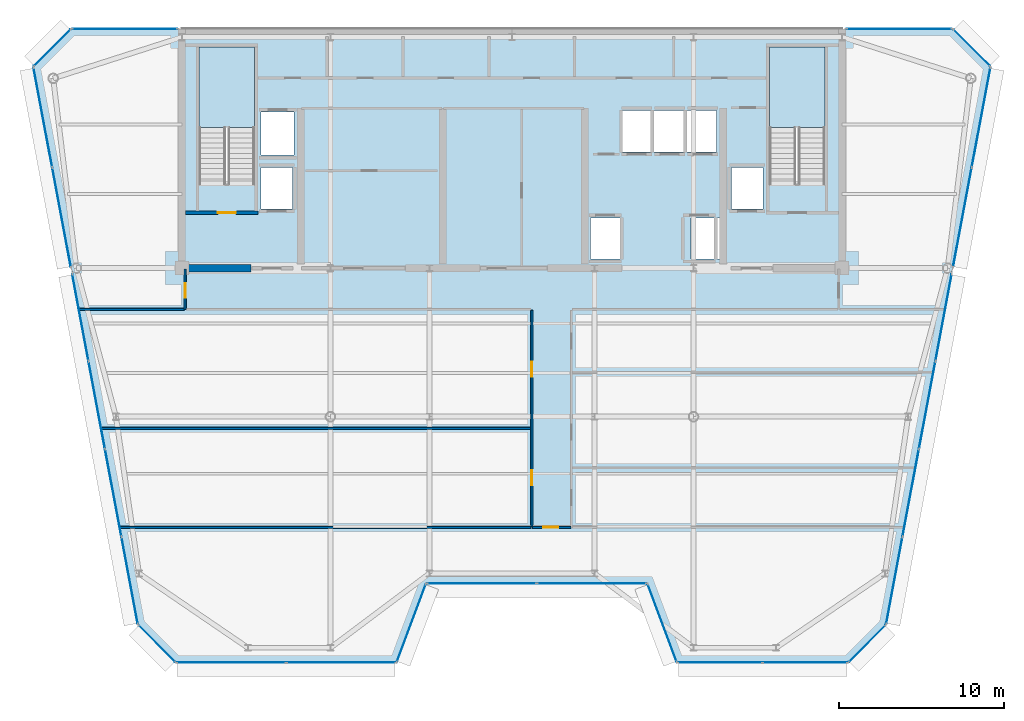
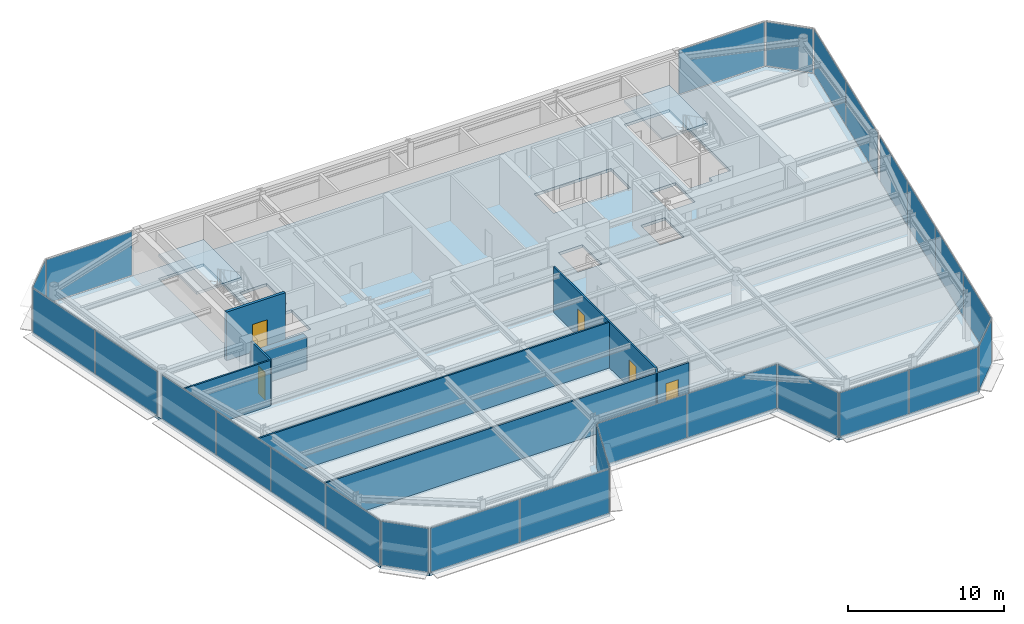
# One storey, part 10 of 20: 26 plates, 8 walls, 5 doors, 3 slabs, 5 openings, 17 elements without a shape of their own.
"""IFC4 building model written with IfcOpenShell, lengths in metres."""

from ifc_helpers import new_model, si_unit, direction, frame, frame_2d, origin, origin_2d, place, context, subcontext, project, spatial, polyline, rectangle, outline, extrude, source, transform, mapped, material, layer, layer_set, type_object, element, fill, aggregate, save


model = new_model("IFC4")

# Units and contexts
model_context = context("Model", 3, precision=1e-05, world=origin(), true_north=direction((0.0, 1.0)))
body_context = subcontext(model_context, "Body", "Model", "MODEL_VIEW")
ifc_project = project(units=[si_unit("LENGTHUNIT", "METRE"), si_unit("AREAUNIT", "SQUARE_METRE"), si_unit("VOLUMEUNIT", "CUBIC_METRE"), si_unit("PLANEANGLEUNIT", "RADIAN"), si_unit("MASSUNIT", "GRAM", prefix="KILO")], contexts=[model_context])

# Site, building, storey
site_placement = place(None, origin())
site = spatial("IfcSite", under=ifc_project, at=site_placement, CompositionType="ELEMENT")
building_placement = place(site_placement, origin())
building = spatial("IfcBuilding", under=site, at=building_placement, Name="Vaeldorn Concourse Tower", CompositionType="ELEMENT")
storey_placement = place(building_placement, frame((0.0, 0.0, 280.199951171875)))
storey = spatial("IfcBuildingStorey", under=building, at=storey_placement, Name="L72", CompositionType="ELEMENT", Elevation=280.199951171875)

# Stair, slab
ifc_material_1 = material(Name="Precast concrete C40/50", Category="concrete")
stair_type = type_object("IfcStairType", Name="STR-DOG-24x158", PredefinedType="HALF_TURN_STAIR", material=ifc_material_1)
stair_1_placement = place(storey_placement, origin())
stair_1 = element("IfcStair", 1, at=stair_1_placement, inside=storey, type_object=stair_type, Name="L72 West Core Exit Stair ST-1", PredefinedType="HALF_TURN_STAIR")
ifc_material_2 = material(Name="Concrete C40/50", Category="concrete")
ifc_layer_1 = layer(ifc_material_2, 0.199951171875)
ifc_layer_set_1 = layer_set([ifc_layer_1], Name="Concrete C40/50")
slab_type_1 = type_object("IfcSlabType", Name="SL-STAIR-LANDING", PredefinedType="LANDING", material=ifc_layer_set_1)
slab_1_placement = place(storey_placement, frame((0.0, 0.0, 1.699951171875)))
slab_1 = element("IfcSlab", 2, at=slab_1_placement, type_object=slab_type_1, Name="ST-1 landing 1", PredefinedType="LANDING", context=body_context, shape_type="SweptSolid", body=[
    extrude(outline(polyline([(18.39990234375, 45.010009765625), (18.39990234375, 49.89990234375), (15.050048828125, 49.89990234375), (15.050048828125, 45.010009765625), (18.39990234375, 45.010009765625)])), origin(), (0.0, 0.0, 1.0), 0.2001953125),
])
aggregate(stair_1, [slab_1])

stair_2_placement = place(storey_placement, origin())
stair_2 = element("IfcStair", 3, at=stair_2_placement, inside=storey, type_object=stair_type, Name="L72 East Core Exit Stair ST-2", PredefinedType="HALF_TURN_STAIR")
slab_2_placement = place(storey_placement, frame((0.0, 0.0, 1.699951171875)))
slab_2 = element("IfcSlab", 4, at=slab_2_placement, type_object=slab_type_1, Name="ST-2 landing 1", PredefinedType="LANDING", context=body_context, shape_type="SweptSolid", body=[
    extrude(outline(polyline([(52.949951171875, 45.010009765625), (52.949951171875, 49.89990234375), (49.60009765625, 49.89990234375), (49.60009765625, 45.010009765625), (52.949951171875, 45.010009765625)])), origin(), (0.0, 0.0, 1.0), 0.2001953125),
])
aggregate(stair_2, [slab_2])

# Slab
ifc_layer_2 = layer(ifc_material_2, 0.219970703125)
ifc_layer_set_2 = layer_set([ifc_layer_2], Name="Concrete C40/50")
slab_type_2 = type_object("IfcSlabType", Name="SL-TYP-220", PredefinedType="FLOOR", material=ifc_layer_set_2)
slab_3_placement = place(storey_placement, frame((0.0, 0.0, -0.219970703125)))
element("IfcSlab", 5, at=slab_3_placement, inside=storey, type_object=slab_type_2, Name="Structural Floor Slab L72", PredefinedType="FLOOR", context=body_context, shape_type="SweptSolid", body=[
    extrude(outline(polyline([(13.635986328125, 12.60009765625), (27.0, 12.60009765625), (28.800048828125, 17.39990234375), (42.199951171875, 17.39990234375), (44.0, 12.60009765625), (54.364013671875, 12.60009765625), (56.6640625, 14.89990234375), (63.0, 48.699951171875), (60.699951171875, 51.0), (7.300048828125, 51.0), (5.0, 48.699951171875), (11.3359375, 14.89990234375), (13.635986328125, 12.60009765625)]), holes=[polyline([(18.39990234375, 42.0), (18.39990234375, 49.89990234375), (15.050048828125, 49.89990234375), (15.050048828125, 41.60009765625), (16.800048828125, 41.60009765625), (16.800048828125, 42.0), (18.39990234375, 42.0)]), polyline([(52.949951171875, 42.0), (52.949951171875, 49.89990234375), (49.60009765625, 49.89990234375), (49.60009765625, 41.60009765625), (51.35009765625, 41.60009765625), (51.35009765625, 42.0), (52.949951171875, 42.0)]), polyline([(38.75, 37.050048828125), (40.550048828125, 37.050048828125), (40.550048828125, 39.550048828125), (38.75, 39.550048828125), (38.75, 37.050048828125)]), polyline([(44.85009765625, 37.050048828125), (46.64990234375, 37.050048828125), (46.64990234375, 39.550048828125), (44.85009765625, 39.550048828125), (44.85009765625, 37.050048828125)]), polyline([(40.699951171875, 43.550048828125), (46.39990234375, 43.550048828125), (46.39990234375, 46.050048828125), (40.699951171875, 46.050048828125), (40.699951171875, 43.550048828125)]), polyline([(18.800048828125, 43.35009765625), (20.800048828125, 43.35009765625), (20.800048828125, 45.949951171875), (18.800048828125, 45.949951171875), (18.800048828125, 43.35009765625)]), polyline([(18.800048828125, 40.10009765625), (20.699951171875, 40.10009765625), (20.699951171875, 42.60009765625), (18.800048828125, 42.60009765625), (18.800048828125, 40.10009765625)]), polyline([(47.300048828125, 40.10009765625), (49.199951171875, 40.10009765625), (49.199951171875, 42.60009765625), (47.300048828125, 42.60009765625), (47.300048828125, 40.10009765625)])]), origin(), (0.0, 0.0, 1.0), 0.219970703125),
])

# Curtain wall, plate
ifc_material_3 = material(Name="Anodised Bronze Aluminium", Category="aluminium")
ifc_layer_3 = layer(ifc_material_3, 0.179931640625)
ifc_layer_set_3 = layer_set([ifc_layer_3], Name="Anodised Bronze Aluminium")
curtain_wall_type = type_object("IfcCurtainWallType", Name="CW-SYS-05", PredefinedType="NOTDEFINED", material=ifc_layer_set_3)
curtain_wall_1_placement = place(storey_placement, origin())
curtain_wall_1 = element("IfcCurtainWall", 6, at=curtain_wall_1_placement, inside=storey, type_object=curtain_wall_type, Name="Unitised Curtain Wall CW-L72-E02-1", PredefinedType="NOTDEFINED")
ifc_material_4 = material(Name="Bronze Tinted Low-E Insulated Glass", Category="glass")
ifc_layer_4 = layer(ifc_material_4, 0.031982421875)
ifc_layer_set_4 = layer_set([ifc_layer_4], Name="Bronze Tinted Low-E Insulated Glass")
plate_type = type_object("IfcPlateType", Name="CWP-VISION-32", PredefinedType="CURTAIN_PANEL", material=ifc_layer_set_4)
shared_shape_1 = source(origin(), body_context, "Body", "SweptSolid", [
    extrude(rectangle(XDim=4.996337890625, YDim=0.031982421875, at=origin_2d()), origin(), (0.0, 0.0, 1.0), 3.449951171875),
])
plate_1_placement = place(storey_placement, frame((27.89990234375, 15.0, 0.06494140625), z_axis=(0.0, 0.0, 1.0), x_axis=(0.351123441595, 0.936329177566, 0.0)))
plate_1 = element("IfcPlate", 7, at=plate_1_placement, type_object=plate_type, Name="CW-05 panel 1.1", PredefinedType="CURTAIN_PANEL", context=body_context, shape_type="MappedRepresentation", body=[
    mapped(shared_shape_1, transform((0.0, 0.0, 0.0), scale=1.0)),
])
aggregate(curtain_wall_1, [plate_1])

curtain_wall_2_placement = place(storey_placement, origin())
curtain_wall_2 = element("IfcCurtainWall", 8, at=curtain_wall_2_placement, inside=storey, type_object=curtain_wall_type, Name="Unitised Curtain Wall CW-L72-E04-1", PredefinedType="NOTDEFINED")
plate_2_placement = place(storey_placement, frame((43.10009765625, 15.0, 0.06494140625), z_axis=(0.0, 0.0, 1.0), x_axis=(0.351123441595, -0.936329177566, 0.0)))
plate_2 = element("IfcPlate", 9, at=plate_2_placement, type_object=plate_type, Name="CW-05 panel 1.1", PredefinedType="CURTAIN_PANEL", context=body_context, shape_type="MappedRepresentation", body=[
    mapped(shared_shape_1, transform((0.0, 0.0, 0.0), scale=1.0)),
])
aggregate(curtain_wall_2, [plate_2])

# Curtain wall, plates
curtain_wall_3_placement = place(storey_placement, origin())
curtain_wall_3 = element("IfcCurtainWall", 10, at=curtain_wall_3_placement, inside=storey, type_object=curtain_wall_type, Name="Unitised Curtain Wall CW-L72-E03-1", PredefinedType="NOTDEFINED")
shared_shape_2 = source(origin(), body_context, "Body", "SweptSolid", [
    extrude(rectangle(XDim=6.6025390625, YDim=0.031982421875, at=origin_2d()), origin(), (0.0, 0.0, 1.0), 3.449951171875),
])
plate_3_placement = place(storey_placement, frame((32.166259765625, 17.39990234375, 0.06494140625), z_axis=(0.0, 0.0, 1.0), x_axis=(1.0, 0.0, 0.0)))
plate_3 = element("IfcPlate", 11, at=plate_3_placement, type_object=plate_type, Name="CW-05 panel 1.1", PredefinedType="CURTAIN_PANEL", context=body_context, shape_type="MappedRepresentation", body=[
    mapped(shared_shape_2, transform((0.0, 0.0, 0.0), scale=1.0)),
])
plate_4_placement = place(storey_placement, frame((38.833740234375, 17.39990234375, 0.06494140625), z_axis=(0.0, 0.0, 1.0), x_axis=(1.0, 0.0, 0.0)))
plate_4 = element("IfcPlate", 12, at=plate_4_placement, type_object=plate_type, Name="CW-05 panel 2.1", PredefinedType="CURTAIN_PANEL", context=body_context, shape_type="MappedRepresentation", body=[
    mapped(shared_shape_2, transform((0.0, 0.0, 0.0), scale=1.0)),
])
aggregate(curtain_wall_3, [plate_3, plate_4])

# Curtain wall, plate
curtain_wall_4_placement = place(storey_placement, origin())
curtain_wall_4 = element("IfcCurtainWall", 13, at=curtain_wall_4_placement, inside=storey, type_object=curtain_wall_type, Name="Unitised Curtain Wall CW-L72-E06-1", PredefinedType="NOTDEFINED")
shared_shape_3 = source(origin(), body_context, "Body", "SweptSolid", [
    extrude(rectangle(XDim=3.122802734375, YDim=0.031982421875, at=origin_2d()), origin(), (0.0, 0.0, 1.0), 3.449951171875),
])
plate_5_placement = place(storey_placement, frame((55.513916015625, 13.75, 0.06494140625), z_axis=(0.0, 0.0, 1.0), x_axis=(0.707106781187, 0.707106781187, 0.0)))
plate_5 = element("IfcPlate", 14, at=plate_5_placement, type_object=plate_type, Name="CW-05 panel 1.1", PredefinedType="CURTAIN_PANEL", context=body_context, shape_type="MappedRepresentation", body=[
    mapped(shared_shape_3, transform((0.0, 0.0, 0.0), scale=1.0)),
])
aggregate(curtain_wall_4, [plate_5])

curtain_wall_5_placement = place(storey_placement, origin())
curtain_wall_5 = element("IfcCurtainWall", 15, at=curtain_wall_5_placement, inside=storey, type_object=curtain_wall_type, Name="Unitised Curtain Wall CW-L72-E08-1", PredefinedType="NOTDEFINED")
plate_6_placement = place(storey_placement, frame((61.85009765625, 49.85009765625, 0.06494140625), z_axis=(0.0, 0.0, 1.0), x_axis=(-0.707106781187, 0.707106781187, 0.0)))
plate_6 = element("IfcPlate", 16, at=plate_6_placement, type_object=plate_type, Name="CW-05 panel 1.1", PredefinedType="CURTAIN_PANEL", context=body_context, shape_type="MappedRepresentation", body=[
    mapped(shared_shape_3, transform((0.0, 0.0, 0.0), scale=1.0)),
])
aggregate(curtain_wall_5, [plate_6])

curtain_wall_6_placement = place(storey_placement, origin())
curtain_wall_6 = element("IfcCurtainWall", 17, at=curtain_wall_6_placement, inside=storey, type_object=curtain_wall_type, Name="Unitised Curtain Wall CW-L72-E10-1", PredefinedType="NOTDEFINED")
plate_7_placement = place(storey_placement, frame((6.14990234375, 49.85009765625, 0.06494140625), z_axis=(0.0, 0.0, 1.0), x_axis=(-0.707106781187, -0.707106781187, 0.0)))
plate_7 = element("IfcPlate", 18, at=plate_7_placement, type_object=plate_type, Name="CW-05 panel 1.1", PredefinedType="CURTAIN_PANEL", context=body_context, shape_type="MappedRepresentation", body=[
    mapped(shared_shape_3, transform((0.0, 0.0, 0.0), scale=1.0)),
])
aggregate(curtain_wall_6, [plate_7])

curtain_wall_7_placement = place(storey_placement, origin())
curtain_wall_7 = element("IfcCurtainWall", 19, at=curtain_wall_7_placement, inside=storey, type_object=curtain_wall_type, Name="Unitised Curtain Wall CW-L72-E12-1", PredefinedType="NOTDEFINED")
plate_8_placement = place(storey_placement, frame((12.486083984375, 13.75, 0.06494140625), z_axis=(0.0, 0.0, 1.0), x_axis=(0.707106781187, -0.707106781187, 0.0)))
plate_8 = element("IfcPlate", 20, at=plate_8_placement, type_object=plate_type, Name="CW-05 panel 1.1", PredefinedType="CURTAIN_PANEL", context=body_context, shape_type="MappedRepresentation", body=[
    mapped(shared_shape_3, transform((0.0, 0.0, 0.0), scale=1.0)),
])
aggregate(curtain_wall_7, [plate_8])

curtain_wall_8_placement = place(storey_placement, origin())
curtain_wall_8 = element("IfcCurtainWall", 21, at=curtain_wall_8_placement, inside=storey, type_object=curtain_wall_type, Name="Unitised Curtain Wall CW-L72-E09-1", PredefinedType="NOTDEFINED")
shared_shape_4 = source(origin(), body_context, "Body", "SweptSolid", [
    extrude(rectangle(XDim=6.35009765625, YDim=0.031982421875, at=origin_2d()), origin(), (0.0, 0.0, 1.0), 3.449951171875),
])
plate_9_placement = place(storey_placement, frame((57.4599609375, 51.0, 0.06494140625), z_axis=(0.0, 0.0, 1.0), x_axis=(-1.0, 0.0, 0.0)))
plate_9 = element("IfcPlate", 22, at=plate_9_placement, type_object=plate_type, Name="CW-05 panel 1.1", PredefinedType="CURTAIN_PANEL", context=body_context, shape_type="MappedRepresentation", body=[
    mapped(shared_shape_4, transform((0.0, 0.0, 0.0), scale=1.0)),
])
aggregate(curtain_wall_8, [plate_9])

curtain_wall_9_placement = place(storey_placement, origin())
curtain_wall_9 = element("IfcCurtainWall", 23, at=curtain_wall_9_placement, inside=storey, type_object=curtain_wall_type, Name="Unitised Curtain Wall CW-L72-E09-2", PredefinedType="NOTDEFINED")
plate_10_placement = place(storey_placement, frame((10.5400390625, 51.0, 0.06494140625), z_axis=(0.0, 0.0, 1.0), x_axis=(-1.0, 0.0, 0.0)))
plate_10 = element("IfcPlate", 24, at=plate_10_placement, type_object=plate_type, Name="CW-05 panel 1.1", PredefinedType="CURTAIN_PANEL", context=body_context, shape_type="MappedRepresentation", body=[
    mapped(shared_shape_4, transform((0.0, 0.0, 0.0), scale=1.0)),
])
aggregate(curtain_wall_9, [plate_10])

# Curtain wall, plates
curtain_wall_10_placement = place(storey_placement, origin())
curtain_wall_10 = element("IfcCurtainWall", 25, at=curtain_wall_10_placement, inside=storey, type_object=curtain_wall_type, Name="Unitised Curtain Wall CW-L72-E07-1", PredefinedType="NOTDEFINED")
shared_shape_5 = source(origin(), body_context, "Body", "SweptSolid", [
    extrude(rectangle(XDim=5.31640625, YDim=0.031982421875, at=origin_2d()), origin(), (0.0, 0.0, 1.0), 3.449951171875),
])
plate_11_placement = place(storey_placement, frame((57.165771484375, 17.57666015625, 0.06494140625), z_axis=(0.0, 0.0, 1.0), x_axis=(0.184246714088, 0.982880027444, 0.0)))
plate_11 = element("IfcPlate", 26, at=plate_11_placement, type_object=plate_type, Name="CW-05 panel 1.1", PredefinedType="CURTAIN_PANEL", context=body_context, shape_type="MappedRepresentation", body=[
    mapped(shared_shape_5, transform((0.0, 0.0, 0.0), scale=1.0)),
])
plate_12_placement = place(storey_placement, frame((60.15234375, 33.50830078125, 0.06494140625), z_axis=(0.0, 0.0, 1.0), x_axis=(0.184246714088, 0.982880027444, 0.0)))
plate_12 = element("IfcPlate", 27, at=plate_12_placement, type_object=plate_type, Name="CW-05 panel 4.1", PredefinedType="CURTAIN_PANEL", context=body_context, shape_type="MappedRepresentation", body=[
    mapped(shared_shape_5, transform((0.0, 0.0, 0.0), scale=1.0)),
])

curtain_wall_11_placement = place(storey_placement, origin())
curtain_wall_11 = element("IfcCurtainWall", 28, at=curtain_wall_11_placement, inside=storey, type_object=curtain_wall_type, Name="Unitised Curtain Wall CW-L72-E11-2", PredefinedType="NOTDEFINED")
plate_13_placement = place(storey_placement, frame((7.84765625, 33.50830078125, 0.06494140625), z_axis=(0.0, 0.0, 1.0), x_axis=(0.184246714088, -0.982880027444, 0.0)))
plate_13 = element("IfcPlate", 29, at=plate_13_placement, type_object=plate_type, Name="CW-05 panel 1.1", PredefinedType="CURTAIN_PANEL", context=body_context, shape_type="MappedRepresentation", body=[
    mapped(shared_shape_5, transform((0.0, 0.0, 0.0), scale=1.0)),
])
plate_14_placement = place(storey_placement, frame((10.834228515625, 17.57666015625, 0.06494140625), z_axis=(0.0, 0.0, 1.0), x_axis=(0.184246714088, -0.982880027444, 0.0)))
plate_14 = element("IfcPlate", 30, at=plate_14_placement, type_object=plate_type, Name="CW-05 panel 4.1", PredefinedType="CURTAIN_PANEL", context=body_context, shape_type="MappedRepresentation", body=[
    mapped(shared_shape_5, transform((0.0, 0.0, 0.0), scale=1.0)),
])

# Plate
shared_shape_6 = source(origin(), body_context, "Body", "SweptSolid", [
    extrude(rectangle(XDim=5.348876953125, YDim=0.031982421875, at=origin_2d()), origin(), (0.0, 0.0, 1.0), 3.449951171875),
])
plate_15_placement = place(storey_placement, frame((58.16015625, 22.8818359375, 0.06494140625), z_axis=(0.0, 0.0, 1.0), x_axis=(0.184246714088, 0.982880027444, 0.0)))
plate_15 = element("IfcPlate", 31, at=plate_15_placement, type_object=plate_type, Name="CW-05 panel 2.1", PredefinedType="CURTAIN_PANEL", context=body_context, shape_type="MappedRepresentation", body=[
    mapped(shared_shape_6, transform((0.0, 0.0, 0.0), scale=1.0)),
])

plate_16_placement = place(storey_placement, frame((59.15771484375, 28.203125, 0.06494140625), z_axis=(0.0, 0.0, 1.0), x_axis=(0.184246714088, 0.982880027444, 0.0)))
plate_16 = element("IfcPlate", 32, at=plate_16_placement, type_object=plate_type, Name="CW-05 panel 3.1", PredefinedType="CURTAIN_PANEL", context=body_context, shape_type="MappedRepresentation", body=[
    mapped(shared_shape_6, transform((0.0, 0.0, 0.0), scale=1.0)),
])

aggregate(curtain_wall_10, [plate_11, plate_15, plate_16, plate_12])

plate_17_placement = place(storey_placement, frame((8.84228515625, 28.203125, 0.06494140625), z_axis=(0.0, 0.0, 1.0), x_axis=(0.184246714088, -0.982880027444, 0.0)))
plate_17 = element("IfcPlate", 33, at=plate_17_placement, type_object=plate_type, Name="CW-05 panel 2.1", PredefinedType="CURTAIN_PANEL", context=body_context, shape_type="MappedRepresentation", body=[
    mapped(shared_shape_6, transform((0.0, 0.0, 0.0), scale=1.0)),
])

plate_18_placement = place(storey_placement, frame((9.83984375, 22.8818359375, 0.06494140625), z_axis=(0.0, 0.0, 1.0), x_axis=(0.184246714088, -0.982880027444, 0.0)))
plate_18 = element("IfcPlate", 34, at=plate_18_placement, type_object=plate_type, Name="CW-05 panel 3.1", PredefinedType="CURTAIN_PANEL", context=body_context, shape_type="MappedRepresentation", body=[
    mapped(shared_shape_6, transform((0.0, 0.0, 0.0), scale=1.0)),
])

aggregate(curtain_wall_11, [plate_13, plate_17, plate_18, plate_14])

# Curtain wall, plates
curtain_wall_12_placement = place(storey_placement, origin())
curtain_wall_12 = element("IfcCurtainWall", 35, at=curtain_wall_12_placement, inside=storey, type_object=curtain_wall_type, Name="Unitised Curtain Wall CW-L72-E07-2", PredefinedType="NOTDEFINED")
shared_shape_7 = source(origin(), body_context, "Body", "SweptSolid", [
    extrude(rectangle(XDim=6.103515625, YDim=0.031982421875, at=origin_2d()), origin(), (0.0, 0.0, 1.0), 3.449951171875),
])
plate_19_placement = place(storey_placement, frame((61.289306640625, 39.57373046875, 0.06494140625), z_axis=(0.0, 0.0, 1.0), x_axis=(0.184245693053, 0.982880218842, 0.0)))
plate_19 = element("IfcPlate", 36, at=plate_19_placement, type_object=plate_type, Name="CW-05 panel 1.1", PredefinedType="CURTAIN_PANEL", context=body_context, shape_type="MappedRepresentation", body=[
    mapped(shared_shape_7, transform((0.0, 0.0, 0.0), scale=1.0)),
])
plate_20_placement = place(storey_placement, frame((62.42578125, 45.63671875, 0.06494140625), z_axis=(0.0, 0.0, 1.0), x_axis=(0.184245693053, 0.982880218842, 0.0)))
plate_20 = element("IfcPlate", 37, at=plate_20_placement, type_object=plate_type, Name="CW-05 panel 2.1", PredefinedType="CURTAIN_PANEL", context=body_context, shape_type="MappedRepresentation", body=[
    mapped(shared_shape_7, transform((0.0, 0.0, 0.0), scale=1.0)),
])
aggregate(curtain_wall_12, [plate_19, plate_20])

curtain_wall_13_placement = place(storey_placement, origin())
curtain_wall_13 = element("IfcCurtainWall", 38, at=curtain_wall_13_placement, inside=storey, type_object=curtain_wall_type, Name="Unitised Curtain Wall CW-L72-E11-1", PredefinedType="NOTDEFINED")
plate_21_placement = place(storey_placement, frame((5.57421875, 45.63671875, 0.06494140625), z_axis=(0.0, 0.0, 1.0), x_axis=(0.184245693053, -0.982880218842, 0.0)))
plate_21 = element("IfcPlate", 39, at=plate_21_placement, type_object=plate_type, Name="CW-05 panel 1.1", PredefinedType="CURTAIN_PANEL", context=body_context, shape_type="MappedRepresentation", body=[
    mapped(shared_shape_7, transform((0.0, 0.0, 0.0), scale=1.0)),
])
plate_22_placement = place(storey_placement, frame((6.710693359375, 39.57373046875, 0.06494140625), z_axis=(0.0, 0.0, 1.0), x_axis=(0.184245693053, -0.982880218842, 0.0)))
plate_22 = element("IfcPlate", 40, at=plate_22_placement, type_object=plate_type, Name="CW-05 panel 2.1", PredefinedType="CURTAIN_PANEL", context=body_context, shape_type="MappedRepresentation", body=[
    mapped(shared_shape_7, transform((0.0, 0.0, 0.0), scale=1.0)),
])
aggregate(curtain_wall_13, [plate_21, plate_22])

curtain_wall_14_placement = place(storey_placement, origin())
curtain_wall_14 = element("IfcCurtainWall", 41, at=curtain_wall_14_placement, inside=storey, type_object=curtain_wall_type, Name="Unitised Curtain Wall CW-L72-E01-1", PredefinedType="NOTDEFINED")
shared_shape_8 = source(origin(), body_context, "Body", "SweptSolid", [
    extrude(rectangle(XDim=6.58447265625, YDim=0.031982421875, at=origin_2d()), origin(), (0.0, 0.0, 1.0), 3.449951171875),
])
plate_23_placement = place(storey_placement, frame((16.9931640625, 12.60009765625, 0.06494140625), z_axis=(0.0, 0.0, 1.0), x_axis=(1.0, 0.0, 0.0)))
plate_23 = element("IfcPlate", 42, at=plate_23_placement, type_object=plate_type, Name="CW-05 panel 1.1", PredefinedType="CURTAIN_PANEL", context=body_context, shape_type="MappedRepresentation", body=[
    mapped(shared_shape_8, transform((0.0, 0.0, 0.0), scale=1.0)),
])
plate_24_placement = place(storey_placement, frame((23.642822265625, 12.60009765625, 0.06494140625), z_axis=(0.0, 0.0, 1.0), x_axis=(1.0, 0.0, 0.0)))
plate_24 = element("IfcPlate", 43, at=plate_24_placement, type_object=plate_type, Name="CW-05 panel 2.1", PredefinedType="CURTAIN_PANEL", context=body_context, shape_type="MappedRepresentation", body=[
    mapped(shared_shape_8, transform((0.0, 0.0, 0.0), scale=1.0)),
])
aggregate(curtain_wall_14, [plate_23, plate_24])

curtain_wall_15_placement = place(storey_placement, origin())
curtain_wall_15 = element("IfcCurtainWall", 44, at=curtain_wall_15_placement, inside=storey, type_object=curtain_wall_type, Name="Unitised Curtain Wall CW-L72-E05-1", PredefinedType="NOTDEFINED")
shared_shape_9 = source(origin(), body_context, "Body", "SweptSolid", [
    extrude(rectangle(XDim=5.08447265625, YDim=0.031982421875, at=origin_2d()), origin(), (0.0, 0.0, 1.0), 3.449951171875),
])
plate_25_placement = place(storey_placement, frame((46.607177734375, 12.60009765625, 0.06494140625), z_axis=(0.0, 0.0, 1.0), x_axis=(1.0, 0.0, 0.0)))
plate_25 = element("IfcPlate", 45, at=plate_25_placement, type_object=plate_type, Name="CW-05 panel 1.1", PredefinedType="CURTAIN_PANEL", context=body_context, shape_type="MappedRepresentation", body=[
    mapped(shared_shape_9, transform((0.0, 0.0, 0.0), scale=1.0)),
])
plate_26_placement = place(storey_placement, frame((51.7568359375, 12.60009765625, 0.06494140625), z_axis=(0.0, 0.0, 1.0), x_axis=(1.0, 0.0, 0.0)))
plate_26 = element("IfcPlate", 46, at=plate_26_placement, type_object=plate_type, Name="CW-05 panel 2.1", PredefinedType="CURTAIN_PANEL", context=body_context, shape_type="MappedRepresentation", body=[
    mapped(shared_shape_9, transform((0.0, 0.0, 0.0), scale=1.0)),
])
aggregate(curtain_wall_15, [plate_25, plate_26])

# Wall
ifc_material_5 = material(Name="Concrete C50/60", Category="concrete")
ifc_layer_5 = layer(ifc_material_5, 0.449951171875)
ifc_layer_set_5 = layer_set([ifc_layer_5], Name="Concrete C50/60")
wall_type_1 = type_object("IfcWallType", Name="WL-CORE-450", PredefinedType="SHEAR", material=ifc_layer_set_5)
wall_1_placement = place(storey_placement, frame((14.2451171875, 36.5, 0.0), z_axis=(0.0, 0.0, 1.0), x_axis=(1.0, 0.0, 0.0)))
element("IfcWall", 47, at=wall_1_placement, inside=storey, type_object=wall_type_1, Name="Rear Core Shear Wall L72 S1", PredefinedType="SHEAR", context=body_context, shape_type="SweptSolid", body=[
    extrude(rectangle(XDim=3.954833984375, YDim=0.449951171875, at=frame_2d((1.9775390625, 0.0))), origin(), (0.0, 0.0, 1.0), 2.580078125),
])

# Wall, opening, door
ifc_material_6 = material(Name="Gypsum Board Partition", Category="gypsum")
ifc_layer_6 = layer(ifc_material_6, 0.1201171875)
ifc_layer_set_6 = layer_set([ifc_layer_6], Name="Gypsum Board Partition")
wall_type_2 = type_object("IfcWallType", Name="WL-PART-120", PredefinedType="PARTITIONING", material=ifc_layer_set_6)
wall_2_placement = place(storey_placement, frame((14.199951171875, 34.0, 0.0), z_axis=(0.0, 0.0, 1.0), x_axis=(0.0, 1.0, 0.0)))
wall_2 = element("IfcWall", 48, at=wall_2_placement, inside=storey, type_object=wall_type_2, Name="Interior Wall PW-L72-C3W", PredefinedType="PARTITIONING", context=body_context, shape_type="SweptSolid", body=[
    extrude(rectangle(XDim=2.43994140625, YDim=0.1201171875, at=frame_2d((1.219970703125, 0.0))), origin(), (0.0, 0.0, 1.0), 3.580078125),
])
opening_1_placement = place(wall_2_placement, frame((0.699951171875, 0.0, 0.0)))
opening_1 = element("IfcOpeningElement", 49, at=opening_1_placement, cuts=wall_2, Name="Opening D-03", PredefinedType="OPENING", context=body_context, shape_type="SweptSolid", body=[
    extrude(rectangle(XDim=0.89990234375, YDim=2.14990234375, at=frame_2d((0.449951171875, 1.074951171875))), frame((0.0, 0.070068359375, 0.0), z_axis=(0.0, -1.0, 0.0), x_axis=(1.0, 0.0, 0.0)), (0.0, 0.0, 1.0), 0.14013671875),
])
ifc_material_7 = material(Name="Acoustic Bronze-Framed Glass Door", Category="glass")
door_type_1 = type_object("IfcDoorType", Name="DR-INT-900", OperationType="NOTDEFINED", PredefinedType="DOOR", material=ifc_material_7)
shared_shape_10 = source(origin(), body_context, "Body", "SweptSolid", [
    extrude(rectangle(XDim=0.89990234375, YDim=2.14990234375, at=frame_2d((0.449951171875, 1.074951171875))), frame((0.0, 0.02490234375, 0.0), z_axis=(0.0, -1.0, 0.0), x_axis=(1.0, 0.0, 0.0)), (0.0, 0.0, 1.0), 0.050048828125),
])
door_1_placement = place(opening_1_placement, origin())
door_1 = element("IfcDoor", 50, at=door_1_placement, inside=storey, type_object=door_type_1, Name="Interior Door DR-L72-Z3NW", OperationType="SINGLE_SWING_LEFT", OverallHeight=2.14990234375, OverallWidth=0.89990234375, PredefinedType="DOOR", context=body_context, shape_type="MappedRepresentation", body=[
    mapped(shared_shape_10, transform((0.0, 0.0, 0.0), scale=1.0)),
])
fill(opening_1, door_1)

# Wall, openings, doors
wall_3_placement = place(storey_placement, frame((35.199951171875, 20.800048828125, 0.0), z_axis=(0.0, 0.0, 1.0), x_axis=(0.0, 1.0, 0.0)))
wall_3 = element("IfcWall", 51, at=wall_3_placement, inside=storey, type_object=wall_type_2, Name="Interior Wall PW-L72-CSPW", PredefinedType="PARTITIONING", context=body_context, shape_type="SweptSolid", body=[
    extrude(rectangle(XDim=13.139892578125, YDim=0.1201171875, at=frame_2d((6.56982421875, 0.0))), origin(), (0.0, 0.0, 1.0), 3.580078125),
])
opening_2_placement = place(wall_3_placement, frame((2.550048828125, 0.0, 0.0)))
opening_2 = element("IfcOpeningElement", 52, at=opening_2_placement, cuts=wall_3, Name="Opening D-03", PredefinedType="OPENING", context=body_context, shape_type="SweptSolid", body=[
    extrude(rectangle(XDim=0.89990234375, YDim=2.14990234375, at=frame_2d((0.449951171875, 1.074951171875))), frame((0.0, 0.070068359375, 0.0), z_axis=(0.0, -1.0, 0.0), x_axis=(1.0, 0.0, 0.0)), (0.0, 0.0, 1.0), 0.14013671875),
])
opening_3_placement = place(wall_3_placement, frame((9.1201171875, 0.0, 0.0)))
opening_3 = element("IfcOpeningElement", 53, at=opening_3_placement, cuts=wall_3, Name="Opening D-03", PredefinedType="OPENING", context=body_context, shape_type="SweptSolid", body=[
    extrude(rectangle(XDim=0.89990234375, YDim=2.14990234375, at=frame_2d((0.449951171875, 1.074951171875))), frame((0.0, 0.070068359375, 0.0), z_axis=(0.0, -1.0, 0.0), x_axis=(1.0, 0.0, 0.0)), (0.0, 0.0, 1.0), 0.14013671875),
])
door_2_placement = place(opening_2_placement, origin())
door_2 = element("IfcDoor", 54, at=door_2_placement, inside=storey, type_object=door_type_1, Name="Interior Door DR-L72-Z3W1", OperationType="SINGLE_SWING_LEFT", OverallHeight=2.14990234375, OverallWidth=0.89990234375, PredefinedType="DOOR", context=body_context, shape_type="MappedRepresentation", body=[
    mapped(shared_shape_10, transform((0.0, 0.0, 0.0), scale=1.0)),
])
fill(opening_2, door_2)
door_3_placement = place(opening_3_placement, origin())
door_3 = element("IfcDoor", 55, at=door_3_placement, inside=storey, type_object=door_type_1, Name="Interior Door DR-L72-Z3W2", OperationType="SINGLE_SWING_RIGHT", OverallHeight=2.14990234375, OverallWidth=0.89990234375, PredefinedType="DOOR", context=body_context, shape_type="MappedRepresentation", body=[
    mapped(shared_shape_10, transform((0.0, 0.0, 0.0), scale=1.0)),
])
fill(opening_3, door_3)

# Wall, opening, door
wall_4_placement = place(storey_placement, frame((35.239990234375, 20.800048828125, 0.0), z_axis=(0.0, 0.0, 1.0), x_axis=(1.0, 0.0, 0.0)))
wall_4 = element("IfcWall", 56, at=wall_4_placement, inside=storey, type_object=wall_type_2, Name="Interior Wall PW-L72-CSPS", PredefinedType="PARTITIONING", context=body_context, shape_type="SweptSolid", body=[
    extrude(rectangle(XDim=2.320068359375, YDim=0.1201171875, at=frame_2d((1.16015625, 0.0))), origin(), (0.0, 0.0, 1.0), 3.2099609375),
])
opening_4_placement = place(wall_4_placement, frame((0.64990234375, 0.0, 0.0)))
opening_4 = element("IfcOpeningElement", 57, at=opening_4_placement, cuts=wall_4, Name="Opening D-03", PredefinedType="OPENING", context=body_context, shape_type="SweptSolid", body=[
    extrude(rectangle(XDim=0.89990234375, YDim=2.14990234375, at=frame_2d((0.449951171875, 1.074951171875))), frame((0.0, 0.070068359375, 0.0), z_axis=(0.0, -1.0, 0.0), x_axis=(1.0, 0.0, 0.0)), (0.0, 0.0, 1.0), 0.14013671875),
])
door_4_placement = place(opening_4_placement, origin())
door_4 = element("IfcDoor", 58, at=door_4_placement, inside=storey, type_object=door_type_1, Name="Interior Door DR-L72-Z3SM", OperationType="SINGLE_SWING_LEFT", OverallHeight=2.14990234375, OverallWidth=0.89990234375, PredefinedType="DOOR", context=body_context, shape_type="MappedRepresentation", body=[
    mapped(shared_shape_10, transform((0.0, 0.0, 0.0), scale=1.0)),
])
fill(opening_4, door_4)

# Walls
wall_5_placement = place(storey_placement, frame((7.795654296875, 34.0, 0.0), z_axis=(0.0, 0.0, 1.0), x_axis=(1.0, 0.0, 0.0)))
element("IfcWall", 59, at=wall_5_placement, inside=storey, type_object=wall_type_2, Name="Interior Wall PW-L72-Z3NWB", PredefinedType="PARTITIONING", context=body_context, shape_type="SweptSolid", body=[
    extrude(rectangle(XDim=6.34423828125, YDim=0.1201171875, at=frame_2d((3.172119140625, 0.0))), origin(), (0.0, 0.0, 1.0), 3.580078125),
])
wall_6_placement = place(storey_placement, frame((9.145263671875, 26.800048828125, 0.0), z_axis=(0.0, 0.0, 1.0), x_axis=(1.0, 0.0, 0.0)))
element("IfcWall", 60, at=wall_6_placement, inside=storey, type_object=wall_type_2, Name="Interior Wall PW-L72-Z3WY1", PredefinedType="PARTITIONING", context=body_context, shape_type="SweptSolid", body=[
    extrude(rectangle(XDim=25.99462890625, YDim=0.1201171875, at=frame_2d((12.997314453125, 0.0))), origin(), (0.0, 0.0, 1.0), 3.580078125),
])
wall_7_placement = place(storey_placement, frame((10.27001953125, 20.800048828125, 0.0), z_axis=(0.0, 0.0, 1.0), x_axis=(1.0, 0.0, 0.0)))
element("IfcWall", 61, at=wall_7_placement, inside=storey, type_object=wall_type_2, Name="Interior Wall PW-L72-Z3SWL", PredefinedType="PARTITIONING", context=body_context, shape_type="SweptSolid", body=[
    extrude(rectangle(XDim=24.869873046875, YDim=0.1201171875, at=frame_2d((12.43505859375, 0.0))), origin(), (0.0, 0.0, 1.0), 3.2099609375),
])

# Wall, opening, door
ifc_layer_7 = layer(ifc_material_5, 0.199951171875)
ifc_layer_set_7 = layer_set([ifc_layer_7], Name="Concrete C50/60")
wall_type_3 = type_object("IfcWallType", Name="WL-SHAFT-200", PredefinedType="SOLIDWALL", material=ifc_layer_set_7)
wall_8_placement = place(storey_placement, frame((14.22509765625, 39.85009765625, 0.0), z_axis=(0.0, 0.0, 1.0), x_axis=(1.0, 0.0, 0.0)))
wall_8 = element("IfcWall", 62, at=wall_8_placement, inside=storey, type_object=wall_type_3, Name="Stair Shaft Wall CW-L72-ST-1-S", PredefinedType="SOLIDWALL", context=body_context, shape_type="SweptSolid", body=[
    extrude(rectangle(XDim=4.375, YDim=0.199951171875, at=frame_2d((2.1875, 0.0))), origin(), (0.0, 0.0, 1.0), 3.800048828125),
])
opening_5_placement = place(wall_8_placement, frame((1.949951171875, 0.0, 0.0)))
opening_5 = element("IfcOpeningElement", 63, at=opening_5_placement, cuts=wall_8, Name="Opening D-01", PredefinedType="OPENING", context=body_context, shape_type="SweptSolid", body=[
    extrude(rectangle(XDim=1.10009765625, YDim=2.14990234375, at=frame_2d((0.550048828125, 1.074951171875))), frame((0.0, 0.10986328125, 0.0), z_axis=(0.0, -1.0, 0.0), x_axis=(1.0, 0.0, 0.0)), (0.0, 0.0, 1.0), 0.219970703125),
])
ifc_material_8 = material(Name="Fire-Rated Timber and Steel Leaf", Category="steel")
door_type_2 = type_object("IfcDoorType", Name="DR-FD60-1100", OperationType="NOTDEFINED", PredefinedType="DOOR", material=ifc_material_8)
shared_shape_11 = source(origin(), body_context, "Body", "SweptSolid", [
    extrude(rectangle(XDim=1.10009765625, YDim=2.14990234375, at=frame_2d((0.550048828125, 1.074951171875))), frame((0.0, 0.02490234375, 0.0), z_axis=(0.0, -1.0, 0.0), x_axis=(1.0, 0.0, 0.0)), (0.0, 0.0, 1.0), 0.050048828125),
])
door_5_placement = place(opening_5_placement, origin())
door_5 = element("IfcDoor", 64, at=door_5_placement, inside=storey, type_object=door_type_2, Name="Interior Door DR-L72-ST-1", OperationType="SINGLE_SWING_LEFT", OverallHeight=2.14990234375, OverallWidth=1.10009765625, PredefinedType="DOOR", context=body_context, shape_type="MappedRepresentation", body=[
    mapped(shared_shape_11, transform((0.0, 0.0, 0.0), scale=1.0)),
])
fill(opening_5, door_5)

save(model, "model.ifc")
